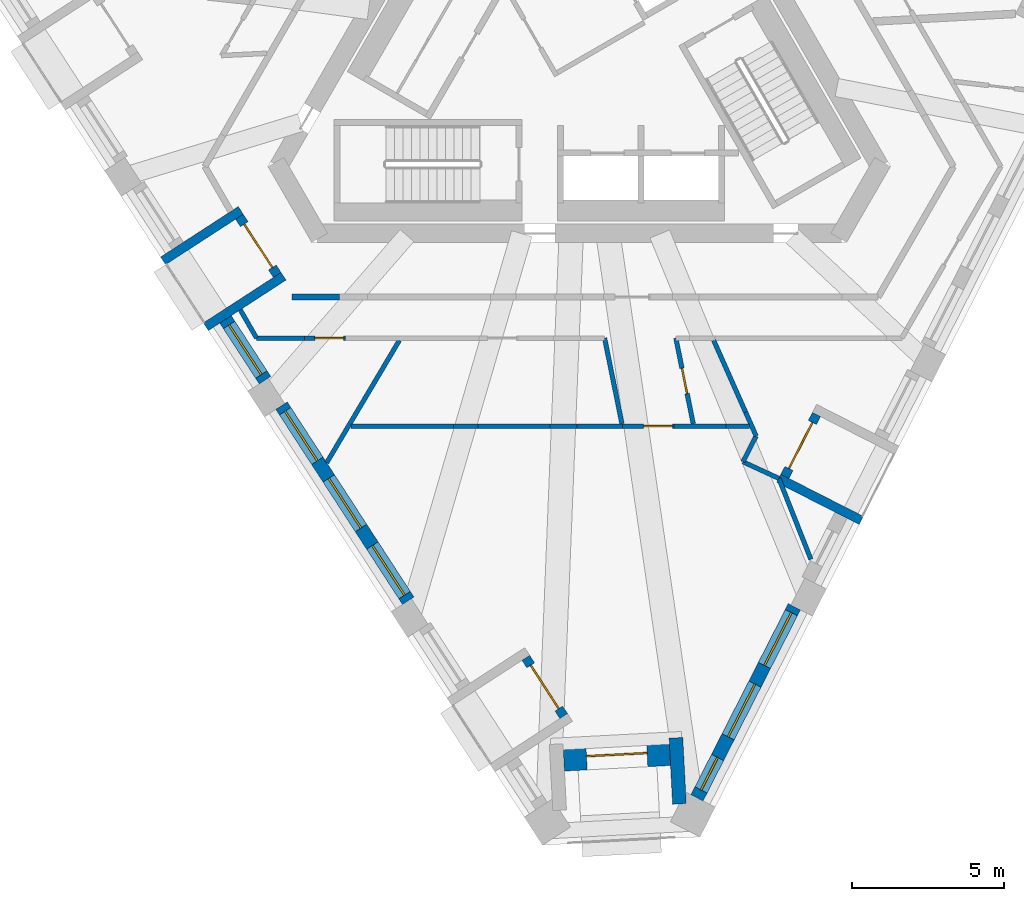
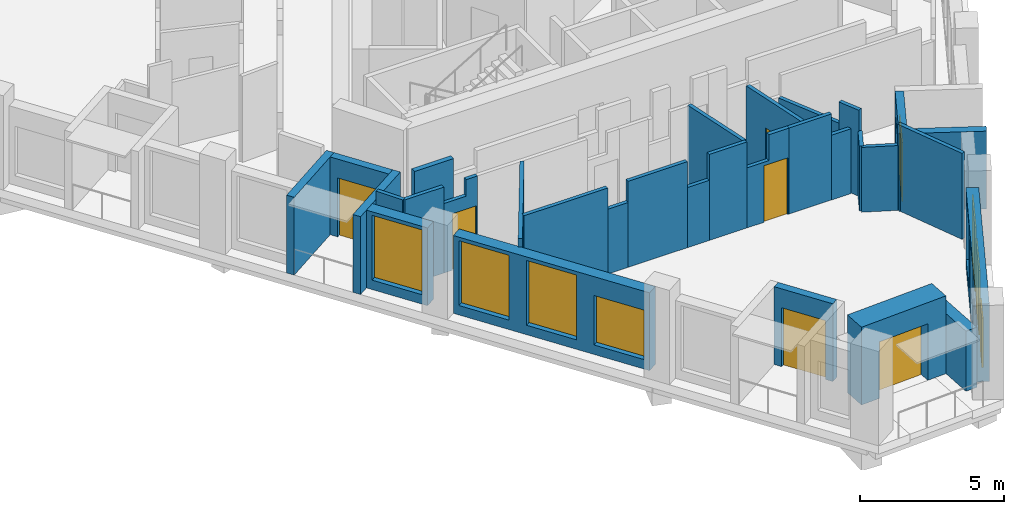
# One storey, part 2 of 12: 31 walls, 7 doors, 7 windows, 14 openings.
"""IFC4 building model written with IfcOpenShell, lengths in metres."""

from ifc_helpers import new_model, si_unit, direction, frame, frame_2d, origin, place, context, subcontext, project, spatial, polyline, rectangle, outline, extrude, material, layer, layer_set, type_object, element, fill, save


model = new_model("IFC4")

# Units and contexts
model_context = context("Model", 3, precision=1e-05, world=origin(), true_north=direction((0.0, 1.0)))
body_context = subcontext(model_context, "Body", "Model", "MODEL_VIEW")
ifc_project = project(units=[si_unit("LENGTHUNIT", "METRE"), si_unit("AREAUNIT", "SQUARE_METRE"), si_unit("VOLUMEUNIT", "CUBIC_METRE"), si_unit("PLANEANGLEUNIT", "RADIAN"), si_unit("MASSUNIT", "GRAM", prefix="KILO")], contexts=[model_context])

# Site, building, storey
site_placement = place(None, origin())
site = spatial("IfcSite", under=ifc_project, at=site_placement, CompositionType="ELEMENT")
building_placement = place(site_placement, origin())
building = spatial("IfcBuilding", under=site, at=building_placement, Name="Tramontana Tower", CompositionType="ELEMENT")
storey_placement = place(building_placement, frame((0.0, 0.0, 302.39990234375)))
storey = spatial("IfcBuildingStorey", under=building, at=storey_placement, Name="L71", CompositionType="ELEMENT", Elevation=302.39990234375)

# Wall
ifc_material_1 = material(Name="Blockwork", Category="masonry")
ifc_layer_1 = layer(ifc_material_1, 0.199951171875)
ifc_layer_set_1 = layer_set([ifc_layer_1], Name="ENTRY WALL 200")
wall_type_1 = type_object("IfcWallType", Name="ENTRY WALL 200", PredefinedType="SOLIDWALL", material=ifc_layer_set_1)
wall_1_placement = place(storey_placement, frame((-7.89599609375, -8.550048828125, 0.0), z_axis=(0.0, 0.0, 1.0), x_axis=(-1.0, 0.0, 0.0)))
element("IfcWall", 1, at=wall_1_placement, inside=storey, type_object=wall_type_1, Name="Wall v72-ew1-11", PredefinedType="SOLIDWALL", context=body_context, shape_type="SweptSolid", body=[
    extrude(rectangle(XDim=1.569580078125, YDim=0.199951171875, at=frame_2d((0.78466796875, 0.0))), origin(), (0.0, 0.0, 1.0), 3.650146484375),
])

# Wall, opening, window
ifc_material_2 = material(Name="Precast concrete 60 MPa", Category="concrete")
ifc_layer_2 = layer(ifc_material_2, 0.449951171875)
ifc_layer_set_2 = layer_set([ifc_layer_2], Name="Precast concrete 60 MPa, 450 mm")
wall_type_2 = type_object("IfcWallType", Name="EW1 Stone-faced precast wall 450", PredefinedType="SOLIDWALL", material=ifc_layer_set_2)
wall_2_placement = place(storey_placement, frame((-11.647216796875, -9.284912109375, 0.0), z_axis=(0.0, 0.0, 1.0), x_axis=(0.544722247615, -0.838616523182, 0.0)))
wall_2 = element("IfcWall", 2, at=wall_2_placement, inside=storey, type_object=wall_type_2, Name="External wall L71 face 0 bay 3", PredefinedType="SOLIDWALL", context=body_context, shape_type="SweptSolid", body=[
    extrude(rectangle(XDim=2.38671875, YDim=0.449951171875, at=frame_2d((1.193359375, 0.0))), origin(), (0.0, 0.0, 1.0), 3.300048828125),
])
opening_1_placement = place(wall_2_placement, frame((0.21826171875, 0.0, 0.39990234375)))
opening_1 = element("IfcOpeningElement", 3, at=opening_1_placement, cuts=wall_2, Name="Opening M3", PredefinedType="OPENING", context=body_context, shape_type="SweptSolid", body=[
    extrude(rectangle(XDim=1.949951171875, YDim=2.75, at=frame_2d((0.97509765625, 1.375))), frame((0.0, 0.23486328125, 0.0), z_axis=(0.0, -1.0, 0.0), x_axis=(1.0, 0.0, 0.0)), (0.0, 0.0, 1.0), 0.469970703125),
])
ifc_material_3 = material(Name="Aluminum frame, double glazing unit", Category="aluminium")
window_type_1 = type_object("IfcWindowType", Name="M3 Window 1.95 x 2.75", PartitioningType="SINGLE_PANEL", PredefinedType="WINDOW", material=ifc_material_3)
window_1_placement = place(opening_1_placement, origin())
window_1 = element("IfcWindow", 4, at=window_1_placement, inside=storey, type_object=window_type_1, Name="Window M3 L71 face 0 module 9", OverallHeight=2.75, OverallWidth=1.949951171875, PartitioningType="SINGLE_PANEL", PredefinedType="WINDOW", context=body_context, shape_type="SweptSolid", body=[
    extrude(rectangle(XDim=1.949951171875, YDim=2.75, at=frame_2d((0.97509765625, 1.375))), frame((0.0, 0.030029296875, 0.0), z_axis=(0.0, -1.0, 0.0), x_axis=(1.0, 0.0, 0.0)), (0.0, 0.0, 1.0), 0.06005859375),
])
fill(opening_1, window_1)

# Wall, openings, windows
wall_3_placement = place(storey_placement, frame((-9.802734375, -12.125244140625, 0.0), z_axis=(0.0, 0.0, 1.0), x_axis=(0.544649987904, -0.838663454954, 0.0)))
wall_3 = element("IfcWall", 5, at=wall_3_placement, inside=storey, type_object=wall_type_2, Name="External wall L71 face 0 bay 4", PredefinedType="SOLIDWALL", context=body_context, shape_type="SweptSolid", body=[
    extrude(rectangle(XDim=7.66015625, YDim=0.449951171875, at=frame_2d((3.830078125, 0.0))), origin(), (0.0, 0.0, 1.0), 3.300048828125),
])
opening_2_placement = place(wall_3_placement, frame((0.21826171875, 0.0, 0.39990234375)))
opening_2 = element("IfcOpeningElement", 6, at=opening_2_placement, cuts=wall_3, Name="Opening M3", PredefinedType="OPENING", context=body_context, shape_type="SweptSolid", body=[
    extrude(rectangle(XDim=1.949951171875, YDim=2.75, at=frame_2d((0.97509765625, 1.375))), frame((0.0, 0.23486328125, 0.0), z_axis=(0.0, -1.0, 0.0), x_axis=(1.0, 0.0, 0.0)), (0.0, 0.0, 1.0), 0.469970703125),
])
opening_3_placement = place(wall_3_placement, frame((2.855224609375, 0.0, 0.39990234375)))
opening_3 = element("IfcOpeningElement", 7, at=opening_3_placement, cuts=wall_3, Name="Opening M3", PredefinedType="OPENING", context=body_context, shape_type="SweptSolid", body=[
    extrude(rectangle(XDim=1.949951171875, YDim=2.75, at=frame_2d((0.97509765625, 1.375))), frame((0.0, 0.23486328125, 0.0), z_axis=(0.0, -1.0, 0.0), x_axis=(1.0, 0.0, 0.0)), (0.0, 0.0, 1.0), 0.469970703125),
])
opening_4_placement = place(wall_3_placement, frame((5.491943359375, 0.0, 0.39990234375)))
opening_4 = element("IfcOpeningElement", 8, at=opening_4_placement, cuts=wall_3, Name="Opening M3L", PredefinedType="OPENING", context=body_context, shape_type="SweptSolid", body=[
    extrude(rectangle(XDim=1.949951171875, YDim=2.10009765625, at=frame_2d((0.97509765625, 1.050048828125))), frame((0.0, 0.23486328125, 0.0), z_axis=(0.0, -1.0, 0.0), x_axis=(1.0, 0.0, 0.0)), (0.0, 0.0, 1.0), 0.469970703125),
])
window_2_placement = place(opening_2_placement, origin())
window_2 = element("IfcWindow", 9, at=window_2_placement, inside=storey, type_object=window_type_1, Name="Window M3 L71 face 0 module 10", OverallHeight=2.75, OverallWidth=1.949951171875, PartitioningType="SINGLE_PANEL", PredefinedType="WINDOW", context=body_context, shape_type="SweptSolid", body=[
    extrude(rectangle(XDim=1.949951171875, YDim=2.75, at=frame_2d((0.97509765625, 1.375))), frame((0.0, 0.030029296875, 0.0), z_axis=(0.0, -1.0, 0.0), x_axis=(1.0, 0.0, 0.0)), (0.0, 0.0, 1.0), 0.06005859375),
])
fill(opening_2, window_2)
window_3_placement = place(opening_3_placement, origin())
window_3 = element("IfcWindow", 10, at=window_3_placement, inside=storey, type_object=window_type_1, Name="Window M3 L71 face 0 module 11", OverallHeight=2.75, OverallWidth=1.949951171875, PartitioningType="SINGLE_PANEL", PredefinedType="WINDOW", context=body_context, shape_type="SweptSolid", body=[
    extrude(rectangle(XDim=1.949951171875, YDim=2.75, at=frame_2d((0.97509765625, 1.375))), frame((0.0, 0.030029296875, 0.0), z_axis=(0.0, -1.0, 0.0), x_axis=(1.0, 0.0, 0.0)), (0.0, 0.0, 1.0), 0.06005859375),
])
fill(opening_3, window_3)
ifc_material_4 = material(Name="Aluminum frame, double glazing unit", Category="aluminium")
window_type_2 = type_object("IfcWindowType", Name="M3L Window 1.95 x 2.1", PartitioningType="SINGLE_PANEL", PredefinedType="WINDOW", material=ifc_material_4)
window_4_placement = place(opening_4_placement, origin())
window_4 = element("IfcWindow", 11, at=window_4_placement, inside=storey, type_object=window_type_2, Name="Window M3L L71 face 0 module 12", OverallHeight=2.10009765625, OverallWidth=1.949951171875, PartitioningType="SINGLE_PANEL", PredefinedType="WINDOW", context=body_context, shape_type="SweptSolid", body=[
    extrude(rectangle(XDim=1.949951171875, YDim=2.10009765625, at=frame_2d((0.97509765625, 1.050048828125))), frame((0.0, 0.030029296875, 0.0), z_axis=(0.0, -1.0, 0.0), x_axis=(1.0, 0.0, 0.0)), (0.0, 0.0, 1.0), 0.06005859375),
])
fill(opening_4, window_4)

wall_4_placement = place(storey_placement, frame((3.87939453125, -25.041259765625, 0.0), z_axis=(0.0, 0.0, 1.0), x_axis=(0.453992084912, 0.891005716501, 0.0)))
wall_4 = element("IfcWall", 12, at=wall_4_placement, inside=storey, type_object=wall_type_2, Name="External wall L71 face 1 bay 1", PredefinedType="SOLIDWALL", context=body_context, shape_type="SweptSolid", body=[
    extrude(rectangle(XDim=7.060302734375, YDim=0.449951171875, at=frame_2d((3.5302734375, 0.0))), origin(), (0.0, 0.0, 1.0), 3.300048828125),
])
opening_5_placement = place(wall_4_placement, frame((0.29345703125, 0.0, 0.39990234375)))
opening_5 = element("IfcOpeningElement", 13, at=opening_5_placement, cuts=wall_4, Name="Opening N3L", PredefinedType="OPENING", context=body_context, shape_type="SweptSolid", body=[
    extrude(rectangle(XDim=1.199951171875, YDim=2.10009765625, at=frame_2d((0.60009765625, 1.050048828125))), frame((0.0, 0.23486328125, 0.0), z_axis=(0.0, -1.0, 0.0), x_axis=(1.0, 0.0, 0.0)), (0.0, 0.0, 1.0), 0.469970703125),
])
opening_6_placement = place(wall_4_placement, frame((2.255126953125, 0.0, 0.39990234375)))
opening_6 = element("IfcOpeningElement", 14, at=opening_6_placement, cuts=wall_4, Name="Opening M3", PredefinedType="OPENING", context=body_context, shape_type="SweptSolid", body=[
    extrude(rectangle(XDim=1.949951171875, YDim=2.75, at=frame_2d((0.97509765625, 1.375))), frame((0.0, 0.23486328125, 0.0), z_axis=(0.0, -1.0, 0.0), x_axis=(1.0, 0.0, 0.0)), (0.0, 0.0, 1.0), 0.469970703125),
])
opening_7_placement = place(wall_4_placement, frame((4.891845703125, 0.0, 0.39990234375)))
opening_7 = element("IfcOpeningElement", 15, at=opening_7_placement, cuts=wall_4, Name="Opening M3", PredefinedType="OPENING", context=body_context, shape_type="SweptSolid", body=[
    extrude(rectangle(XDim=1.949951171875, YDim=2.75, at=frame_2d((0.97509765625, 1.375))), frame((0.0, 0.23486328125, 0.0), z_axis=(0.0, -1.0, 0.0), x_axis=(1.0, 0.0, 0.0)), (0.0, 0.0, 1.0), 0.469970703125),
])
window_5_placement = place(opening_6_placement, origin())
window_5 = element("IfcWindow", 16, at=window_5_placement, inside=storey, type_object=window_type_1, Name="Window M3 L71 face 1 module 2", OverallHeight=2.75, OverallWidth=1.949951171875, PartitioningType="SINGLE_PANEL", PredefinedType="WINDOW", context=body_context, shape_type="SweptSolid", body=[
    extrude(rectangle(XDim=1.949951171875, YDim=2.75, at=frame_2d((0.97509765625, 1.375))), frame((0.0, 0.030029296875, 0.0), z_axis=(0.0, -1.0, 0.0), x_axis=(1.0, 0.0, 0.0)), (0.0, 0.0, 1.0), 0.06005859375),
])
fill(opening_6, window_5)
window_6_placement = place(opening_7_placement, origin())
window_6 = element("IfcWindow", 17, at=window_6_placement, inside=storey, type_object=window_type_1, Name="Window M3 L71 face 1 module 3", OverallHeight=2.75, OverallWidth=1.949951171875, PartitioningType="SINGLE_PANEL", PredefinedType="WINDOW", context=body_context, shape_type="SweptSolid", body=[
    extrude(rectangle(XDim=1.949951171875, YDim=2.75, at=frame_2d((0.97509765625, 1.375))), frame((0.0, 0.030029296875, 0.0), z_axis=(0.0, -1.0, 0.0), x_axis=(1.0, 0.0, 0.0)), (0.0, 0.0, 1.0), 0.06005859375),
])
fill(opening_7, window_6)
ifc_material_5 = material(Name="Aluminum frame, double glazing unit", Category="aluminium")
window_type_3 = type_object("IfcWindowType", Name="N3L Window 1.2 x 2.1", PartitioningType="SINGLE_PANEL", PredefinedType="WINDOW", material=ifc_material_5)
window_7_placement = place(opening_5_placement, origin())
window_7 = element("IfcWindow", 18, at=window_7_placement, inside=storey, type_object=window_type_3, Name="Window N3L L71 face 1 module 1", OverallHeight=2.10009765625, OverallWidth=1.199951171875, PartitioningType="SINGLE_PANEL", PredefinedType="WINDOW", context=body_context, shape_type="SweptSolid", body=[
    extrude(rectangle(XDim=1.199951171875, YDim=2.10009765625, at=frame_2d((0.60009765625, 1.050048828125))), frame((0.0, 0.030029296875, 0.0), z_axis=(0.0, -1.0, 0.0), x_axis=(1.0, 0.0, 0.0)), (0.0, 0.0, 1.0), 0.06005859375),
])
fill(opening_5, window_7)

# Wall
wall_5_placement = place(storey_placement, frame((3.300537109375, -25.240966796875, 0.0), z_axis=(0.0, 0.0, 1.0), x_axis=(-0.052323605405, 0.998630181958, 0.0)))
element("IfcWall", 19, at=wall_5_placement, inside=storey, type_object=wall_type_2, Name="Corner loggia side wall L71 K71l", PredefinedType="SOLIDWALL", context=body_context, shape_type="SweptSolid", body=[
    extrude(rectangle(XDim=2.178955078125, YDim=0.449951171875, at=frame_2d((1.08935546875, 0.0))), origin(), (0.0, 0.0, 1.0), 2.550048828125),
])

# Wall, opening, door
ifc_material_6 = material(Name="Precast concrete 60 MPa", Category="concrete")
ifc_layer_3 = layer(ifc_material_6, 0.89990234375)
ifc_layer_set_3 = layer_set([ifc_layer_3], Name="EW2 Stone-faced corner loggia wall 900")
wall_type_3 = type_object("IfcWallType", Name="EW2 Stone-faced corner loggia wall 900", PredefinedType="SOLIDWALL", material=ifc_layer_set_3)
wall_6_placement = place(storey_placement, frame((2.9853515625, -23.52587890625, 0.0), z_axis=(0.0, 0.0, 1.0), x_axis=(-0.998626871225, -0.0523867547, 0.0)))
wall_6 = element("IfcWall", 20, at=wall_6_placement, inside=storey, type_object=wall_type_3, Name="Corner loggia wall L71 K71", PredefinedType="SOLIDWALL", context=body_context, shape_type="SweptSolid", body=[
    extrude(rectangle(XDim=3.5, YDim=0.89990234375, at=frame_2d((1.75, 0.0))), origin(), (0.0, 0.0, 1.0), 3.300048828125),
])
opening_8_placement = place(wall_6_placement, frame((0.75, 0.0, 0.0)))
opening_8 = element("IfcOpeningElement", 21, at=opening_8_placement, cuts=wall_6, Name="Opening BD-71C", PredefinedType="OPENING", context=body_context, shape_type="SweptSolid", body=[
    extrude(rectangle(XDim=2.0, YDim=2.39990234375, at=frame_2d((1.0, 1.199951171875))), frame((0.0, 0.4599609375, 0.0), z_axis=(0.0, -1.0, 0.0), x_axis=(1.0, 0.0, 0.0)), (0.0, 0.0, 1.0), 0.919921875),
])
ifc_material_7 = material(Name="Aluminum frame, double glazing unit", Category="aluminium")
door_type_1 = type_object("IfcDoorType", Name="BC1 Sliding door 2 x 2.4", OperationType="SLIDING_TO_LEFT", PredefinedType="DOOR", material=ifc_material_7)
door_1_placement = place(opening_8_placement, origin())
door_1 = element("IfcDoor", 22, at=door_1_placement, inside=storey, type_object=door_type_1, Name="Corner loggia door L71 K71", OperationType="SLIDING_TO_LEFT", OverallHeight=2.39990234375, OverallWidth=2.0, PredefinedType="DOOR", context=body_context, shape_type="SweptSolid", body=[
    extrude(rectangle(XDim=2.0, YDim=2.39990234375, at=frame_2d((1.0, 1.199951171875))), frame((0.0, 0.02490234375, 0.0), z_axis=(0.0, -1.0, 0.0), x_axis=(1.0, 0.0, 0.0)), (0.0, 0.0, 1.0), 0.050048828125),
])
fill(opening_8, door_1)

ifc_material_8 = material(Name="Precast concrete 60 MPa", Category="concrete")
ifc_layer_4 = layer(ifc_material_8, 0.300048828125)
ifc_layer_set_4 = layer_set([ifc_layer_4], Name="LW1 Stone-faced loggia wall 300")
wall_type_4 = type_object("IfcWallType", Name="LW1 Stone-faced loggia wall 300", PredefinedType="SOLIDWALL", material=ifc_layer_set_4)
wall_7_placement = place(storey_placement, frame((-11.18994140625, -5.903564453125, 0.0), z_axis=(0.0, 0.0, 1.0), x_axis=(0.544631777146, -0.838675281216, 0.0)))
wall_7 = element("IfcWall", 23, at=wall_7_placement, inside=storey, type_object=wall_type_4, Name="Loggia wall L71 G7S0.7", PredefinedType="SOLIDWALL", context=body_context, shape_type="SweptSolid", body=[
    extrude(rectangle(XDim=2.28662109375, YDim=0.300048828125, at=frame_2d((1.143310546875, 0.0))), origin(), (0.0, 0.0, 1.0), 3.300048828125),
])
opening_9_placement = place(wall_7_placement, frame((0.29345703125, 0.0, 0.0)))
opening_9 = element("IfcOpeningElement", 24, at=opening_9_placement, cuts=wall_7, Name="Opening BD-7S0-07", PredefinedType="OPENING", context=body_context, shape_type="SweptSolid", body=[
    extrude(rectangle(XDim=1.699951171875, YDim=2.5, at=frame_2d((0.85009765625, 1.25))), frame((0.0, 0.159912109375, 0.0), z_axis=(0.0, -1.0, 0.0), x_axis=(1.0, 0.0, 0.0)), (0.0, 0.0, 1.0), 0.320068359375),
])
ifc_material_9 = material(Name="Aluminum frame, double glazing unit", Category="aluminium")
door_type_2 = type_object("IfcDoorType", Name="BD3 Sliding door 1.7 x 2.5", OperationType="SLIDING_TO_LEFT", PredefinedType="DOOR", material=ifc_material_9)
door_2_placement = place(opening_9_placement, origin())
door_2 = element("IfcDoor", 25, at=door_2_placement, inside=storey, type_object=door_type_2, Name="Loggia door L71 G7S0.7", OperationType="SLIDING_TO_LEFT", OverallHeight=2.5, OverallWidth=1.699951171875, PredefinedType="DOOR", context=body_context, shape_type="SweptSolid", body=[
    extrude(rectangle(XDim=1.699951171875, YDim=2.5, at=frame_2d((0.85009765625, 1.25))), frame((0.0, 0.02490234375, 0.0), z_axis=(0.0, -1.0, 0.0), x_axis=(1.0, 0.0, 0.0)), (0.0, 0.0, 1.0), 0.050048828125),
])
fill(opening_9, door_2)

# Walls
wall_8_placement = place(storey_placement, frame((-13.703857421875, -7.357177734375, 0.0), z_axis=(0.0, 0.0, 1.0), x_axis=(0.838688583525, 0.544611292451, 0.0)))
element("IfcWall", 26, at=wall_8_placement, inside=storey, type_object=wall_type_4, Name="Loggia return L71 G7S0.7a", PredefinedType="SOLIDWALL", context=body_context, shape_type="SweptSolid", body=[
    extrude(rectangle(XDim=3.050048828125, YDim=0.300048828125, at=frame_2d((1.52490234375, 0.0))), origin(), (0.0, 0.0, 1.0), 3.300048828125),
])
wall_9_placement = place(storey_placement, frame((-12.294921875, -9.526611328125, 0.0), z_axis=(0.0, 0.0, 1.0), x_axis=(0.838664840319, 0.544647854685, 0.0)))
element("IfcWall", 27, at=wall_9_placement, inside=storey, type_object=wall_type_4, Name="Loggia return L71 G7S0.7b", PredefinedType="SOLIDWALL", context=body_context, shape_type="SweptSolid", body=[
    extrude(rectangle(XDim=3.0498046875, YDim=0.300048828125, at=frame_2d((1.52490234375, 0.0))), origin(), (0.0, 0.0, 1.0), 3.300048828125),
])

# Wall, opening, door
wall_10_placement = place(storey_placement, frame((-1.756591796875, -20.4296875, 0.0), z_axis=(0.0, 0.0, 1.0), x_axis=(0.544658103125, -0.838658184662, 0.0)))
wall_10 = element("IfcWall", 28, at=wall_10_placement, inside=storey, type_object=wall_type_4, Name="Loggia wall L71 G7S0.13", PredefinedType="SOLIDWALL", context=body_context, shape_type="SweptSolid", body=[
    extrude(rectangle(XDim=2.286865234375, YDim=0.300048828125, at=frame_2d((1.1435546875, 0.0))), origin(), (0.0, 0.0, 1.0), 3.300048828125),
])
opening_10_placement = place(wall_10_placement, frame((0.29345703125, 0.0, 0.0)))
opening_10 = element("IfcOpeningElement", 29, at=opening_10_placement, cuts=wall_10, Name="Opening BD-7S0-13", PredefinedType="OPENING", context=body_context, shape_type="SweptSolid", body=[
    extrude(rectangle(XDim=1.699951171875, YDim=2.5, at=frame_2d((0.85009765625, 1.25))), frame((0.0, 0.159912109375, 0.0), z_axis=(0.0, -1.0, 0.0), x_axis=(1.0, 0.0, 0.0)), (0.0, 0.0, 1.0), 0.320068359375),
])
door_3_placement = place(opening_10_placement, origin())
door_3 = element("IfcDoor", 30, at=door_3_placement, inside=storey, type_object=door_type_2, Name="Loggia door L71 G7S0.13", OperationType="SLIDING_TO_LEFT", OverallHeight=2.5, OverallWidth=1.699951171875, PredefinedType="DOOR", context=body_context, shape_type="SweptSolid", body=[
    extrude(rectangle(XDim=1.699951171875, YDim=2.5, at=frame_2d((0.85009765625, 1.25))), frame((0.0, 0.02490234375, 0.0), z_axis=(0.0, -1.0, 0.0), x_axis=(1.0, 0.0, 0.0)), (0.0, 0.0, 1.0), 0.050048828125),
])
fill(opening_10, door_3)

wall_11_placement = place(storey_placement, frame((6.77587890625, -14.455322265625, 0.0), z_axis=(0.0, 0.0, 1.0), x_axis=(0.454076116559, 0.890962895058, 0.0)))
wall_11 = element("IfcWall", 31, at=wall_11_placement, inside=storey, type_object=wall_type_4, Name="Loggia wall L71 G7S1.4", PredefinedType="SOLIDWALL", context=body_context, shape_type="SweptSolid", body=[
    extrude(rectangle(XDim=2.28662109375, YDim=0.300048828125, at=frame_2d((1.143310546875, 0.0))), origin(), (0.0, 0.0, 1.0), 3.300048828125),
])
opening_11_placement = place(wall_11_placement, frame((0.29345703125, 0.0, 0.0)))
opening_11 = element("IfcOpeningElement", 32, at=opening_11_placement, cuts=wall_11, Name="Opening BD-7S1-04", PredefinedType="OPENING", context=body_context, shape_type="SweptSolid", body=[
    extrude(rectangle(XDim=1.699951171875, YDim=2.5, at=frame_2d((0.85009765625, 1.25))), frame((0.0, 0.159912109375, 0.0), z_axis=(0.0, -1.0, 0.0), x_axis=(1.0, 0.0, 0.0)), (0.0, 0.0, 1.0), 0.320068359375),
])
door_4_placement = place(opening_11_placement, origin())
door_4 = element("IfcDoor", 33, at=door_4_placement, inside=storey, type_object=door_type_2, Name="Loggia door L71 G7S1.4", OperationType="SLIDING_TO_LEFT", OverallHeight=2.5, OverallWidth=1.699951171875, PredefinedType="DOOR", context=body_context, shape_type="SweptSolid", body=[
    extrude(rectangle(XDim=1.699951171875, YDim=2.5, at=frame_2d((0.85009765625, 1.25))), frame((0.0, 0.02490234375, 0.0), z_axis=(0.0, -1.0, 0.0), x_axis=(1.0, 0.0, 0.0)), (0.0, 0.0, 1.0), 0.050048828125),
])
fill(opening_11, door_4)

# Walls
wall_12_placement = place(storey_placement, frame((9.291748046875, -15.905517578125, 0.0), z_axis=(0.0, 0.0, 1.0), x_axis=(-0.891023613249, 0.453956959009, 0.0)))
element("IfcWall", 34, at=wall_12_placement, inside=storey, type_object=wall_type_4, Name="Loggia return L71 G7S1.4a", PredefinedType="SOLIDWALL", context=body_context, shape_type="SweptSolid", body=[
    extrude(rectangle(XDim=3.0498046875, YDim=0.300048828125, at=frame_2d((1.52490234375, 0.0))), origin(), (0.0, 0.0, 1.0), 3.300048828125),
])
ifc_material_10 = material(Name="Gypsum board partition")
ifc_layer_5 = layer(ifc_material_10, 0.14990234375)
ifc_layer_set_5 = layer_set([ifc_layer_5], Name="PARTITION 150")
wall_type_5 = type_object("IfcWallType", Name="PARTITION 150", PredefinedType="PARTITIONING", material=ifc_layer_set_5)
wall_13_placement = place(storey_placement, frame((-10.623291015625, -9.89990234375, 0.0), z_axis=(0.0, 0.0, 1.0), x_axis=(-0.500095966228, 0.865969990567, 0.0)))
element("IfcWall", 35, at=wall_13_placement, inside=storey, type_object=wall_type_5, Name="Wall v72-pw07", PredefinedType="PARTITIONING", context=body_context, shape_type="SweptSolid", body=[
    extrude(rectangle(XDim=1.074951171875, YDim=0.14990234375, at=frame_2d((0.53759765625, 0.0))), origin(), (0.0, 0.0, 1.0), 3.650146484375),
])
wall_14_placement = place(storey_placement, frame((-8.31396484375, -14.004150390625, 0.0), z_axis=(0.0, 0.0, 1.0), x_axis=(0.510513473224, 0.859869753891, 0.0)))
element("IfcWall", 36, at=wall_14_placement, inside=storey, type_object=wall_type_5, Name="Wall v72-pw11", PredefinedType="PARTITIONING", context=body_context, shape_type="SweptSolid", body=[
    extrude(rectangle(XDim=4.685546875, YDim=0.14990234375, at=frame_2d((2.3427734375, 0.0))), origin(), (0.0, 0.0, 1.0), 3.650146484375),
])

# Wall, opening, door
wall_15_placement = place(storey_placement, frame((-7.703857421875, -9.89990234375, 0.0), z_axis=(0.0, 0.0, 1.0), x_axis=(-1.0, 0.0, 0.0)))
wall_15 = element("IfcWall", 37, at=wall_15_placement, inside=storey, type_object=wall_type_5, Name="Wall v72-pw14-5", PredefinedType="PARTITIONING", context=body_context, shape_type="SweptSolid", body=[
    extrude(outline(polyline([(0.0, 0.0), (1.348876953125, 0.0), (1.34912109375, 2.9501953125), (0.45458984375, 2.9501953125), (0.45458984375, 3.650146484375), (0.0, 3.650146484375), (0.0, 0.0)])), frame((0.0, 0.074951171875, 0.0), z_axis=(0.0, -1.0, 0.0), x_axis=(1.0, 0.0, 0.0)), (0.0, 0.0, 1.0), 0.14990234375),
])
opening_12_placement = place(wall_15_placement, frame((0.050048828125, 0.0, 0.0)))
opening_12 = element("IfcOpeningElement", 38, at=opening_12_placement, cuts=wall_15, Name="Opening B7C-09", PredefinedType="OPENING", context=body_context, shape_type="SweptSolid", body=[
    extrude(rectangle(XDim=0.949951171875, YDim=2.39990234375, at=frame_2d((0.47509765625, 1.199951171875))), frame((0.0, 0.0849609375, 0.0), z_axis=(0.0, -1.0, 0.0), x_axis=(1.0, 0.0, 0.0)), (0.0, 0.0, 1.0), 0.169921875),
])
ifc_material_11 = material(Name="Painted timber", Category="wood")
door_type_3 = type_object("IfcDoorType", Name="DOOR ROOM 950", OperationType="SINGLE_SWING_LEFT", PredefinedType="DOOR", material=ifc_material_11)
door_5_placement = place(opening_12_placement, origin())
door_5 = element("IfcDoor", 39, at=door_5_placement, inside=storey, type_object=door_type_3, Name="Door B7C-09", OperationType="SINGLE_SWING_LEFT", OverallHeight=2.39990234375, OverallWidth=0.949951171875, PredefinedType="DOOR", context=body_context, shape_type="SweptSolid", body=[
    extrude(rectangle(XDim=0.949951171875, YDim=2.39990234375, at=frame_2d((0.47509765625, 1.199951171875))), frame((0.0, 0.02490234375, 0.0), z_axis=(0.0, -1.0, 0.0), x_axis=(1.0, 0.0, 0.0)), (0.0, 0.0, 1.0), 0.050048828125),
])
fill(opening_12, door_5)

# Walls
wall_16_placement = place(storey_placement, frame((-9.052734375, -9.89990234375, 0.0), z_axis=(0.0, 0.0, 1.0), x_axis=(-1.0, 0.0, 0.0)))
element("IfcWall", 40, at=wall_16_placement, inside=storey, type_object=wall_type_5, Name="Wall v72-pw14-6", PredefinedType="PARTITIONING", context=body_context, shape_type="SweptSolid", body=[
    extrude(rectangle(XDim=1.570556640625, YDim=0.14990234375, at=frame_2d((0.78515625, 0.0))), origin(), (0.0, 0.0, 1.0), 3.650146484375),
])
wall_17_placement = place(storey_placement, frame((1.4091796875, -12.72509765625, 0.0), z_axis=(0.0, 0.0, 1.0), x_axis=(-0.198851501623, 0.980029632359, 0.0)))
element("IfcWall", 41, at=wall_17_placement, inside=storey, type_object=wall_type_5, Name="Wall v72-pw15", PredefinedType="PARTITIONING", context=body_context, shape_type="SweptSolid", body=[
    extrude(rectangle(XDim=2.8828125, YDim=0.14990234375, at=frame_2d((1.44140625, 0.0))), origin(), (0.0, 0.0, 1.0), 3.650146484375),
])

# Wall, opening, door
wall_18_placement = place(storey_placement, frame((3.182861328125, -9.89990234375, 0.0), z_axis=(0.0, 0.0, 1.0), x_axis=(0.198851501623, -0.980029632359, 0.0)))
wall_18 = element("IfcWall", 42, at=wall_18_placement, inside=storey, type_object=wall_type_5, Name="Wall v72-pw16", PredefinedType="PARTITIONING", context=body_context, shape_type="SweptSolid", body=[
    extrude(rectangle(XDim=2.8828125, YDim=0.14990234375, at=frame_2d((1.44140625, 0.0))), origin(), (0.0, 0.0, 1.0), 3.650146484375),
])
opening_13_placement = place(wall_18_placement, frame((1.016357421875, 0.0, 0.0)))
opening_13 = element("IfcOpeningElement", 43, at=opening_13_placement, cuts=wall_18, Name="Opening B7C-07", PredefinedType="OPENING", context=body_context, shape_type="SweptSolid", body=[
    extrude(rectangle(XDim=0.85009765625, YDim=2.39990234375, at=frame_2d((0.425048828125, 1.199951171875))), frame((0.0, 0.0849609375, 0.0), z_axis=(0.0, -1.0, 0.0), x_axis=(1.0, 0.0, 0.0)), (0.0, 0.0, 1.0), 0.169921875),
])
ifc_material_12 = material(Name="Painted timber", Category="wood")
door_type_4 = type_object("IfcDoorType", Name="DOOR BATH 850", OperationType="SINGLE_SWING_LEFT", PredefinedType="DOOR", material=ifc_material_12)
door_6_placement = place(opening_13_placement, origin())
door_6 = element("IfcDoor", 44, at=door_6_placement, inside=storey, type_object=door_type_4, Name="Door B7C-07", OperationType="SINGLE_SWING_LEFT", OverallHeight=2.39990234375, OverallWidth=0.85009765625, PredefinedType="DOOR", context=body_context, shape_type="SweptSolid", body=[
    extrude(rectangle(XDim=0.85009765625, YDim=2.39990234375, at=frame_2d((0.425048828125, 1.199951171875))), frame((0.0, 0.02490234375, 0.0), z_axis=(0.0, -1.0, 0.0), x_axis=(1.0, 0.0, 0.0)), (0.0, 0.0, 1.0), 0.050048828125),
])
fill(opening_13, door_6)

# Walls
wall_19_placement = place(storey_placement, frame((4.428466796875, -9.97509765625, 0.0), z_axis=(0.0, 0.0, 1.0), x_axis=(0.405814676305, -0.913955386491, 0.0)))
element("IfcWall", 45, at=wall_19_placement, inside=storey, type_object=wall_type_5, Name="Wall v72-pw19-0", PredefinedType="PARTITIONING", context=body_context, shape_type="SweptSolid", body=[
    extrude(rectangle(XDim=2.588623046875, YDim=0.14990234375, at=frame_2d((1.29443359375, 0.0))), origin(), (0.0, 0.0, 1.0), 2.75),
])
wall_20_placement = place(storey_placement, frame((5.47900390625, -12.341064453125, 0.0), z_axis=(0.0, 0.0, 1.0), x_axis=(0.405821136731, -0.913952517904, 0.0)))
element("IfcWall", 46, at=wall_20_placement, inside=storey, type_object=wall_type_5, Name="Wall v72-pw19-1", PredefinedType="PARTITIONING", context=body_context, shape_type="SweptSolid", body=[
    extrude(rectangle(XDim=0.856689453125, YDim=0.14990234375, at=frame_2d((0.42822265625, 0.0))), origin(), (0.0, 0.0, 1.0), 3.650146484375),
])
wall_21_placement = place(storey_placement, frame((5.394775390625, -13.976318359375, 0.0), z_axis=(0.0, 0.0, 1.0), x_axis=(0.907865857733, -0.419260759388, 0.0)))
element("IfcWall", 47, at=wall_21_placement, inside=storey, type_object=wall_type_5, Name="Wall v72-pw20-0", PredefinedType="PARTITIONING", context=body_context, shape_type="SweptSolid", body=[
    extrude(rectangle(XDim=1.299072265625, YDim=0.14990234375, at=frame_2d((0.6494140625, 0.0))), origin(), (0.0, 0.0, 1.0), 2.75),
])
wall_22_placement = place(storey_placement, frame((5.6005859375, -12.800048828125, 0.0), z_axis=(0.0, 0.0, 1.0), x_axis=(-1.0, 0.0, 0.0)))
element("IfcWall", 48, at=wall_22_placement, inside=storey, type_object=wall_type_5, Name="Wall v72-pw21-0", PredefinedType="PARTITIONING", context=body_context, shape_type="SweptSolid", body=[
    extrude(rectangle(XDim=0.77099609375, YDim=0.14990234375, at=frame_2d((0.385498046875, 0.0))), origin(), (0.0, 0.0, 1.0), 2.75),
])
wall_23_placement = place(storey_placement, frame((4.82958984375, -12.800048828125, 0.0), z_axis=(0.0, 0.0, 1.0), x_axis=(-1.0, 0.0, 0.0)))
element("IfcWall", 49, at=wall_23_placement, inside=storey, type_object=wall_type_5, Name="Wall v72-pw21-1", PredefinedType="PARTITIONING", context=body_context, shape_type="SweptSolid", body=[
    extrude(rectangle(XDim=1.70703125, YDim=0.14990234375, at=frame_2d((0.853515625, 0.0))), origin(), (0.0, 0.0, 1.0), 3.650146484375),
])

# Wall, opening, door
wall_24_placement = place(storey_placement, frame((3.12255859375, -12.800048828125, 0.0), z_axis=(0.0, 0.0, 1.0), x_axis=(-1.0, 0.0, 0.0)))
wall_24 = element("IfcWall", 50, at=wall_24_placement, inside=storey, type_object=wall_type_5, Name="Wall v72-pw21-2", PredefinedType="PARTITIONING", context=body_context, shape_type="SweptSolid", body=[
    extrude(outline(polyline([(0.0, 0.0), (1.693359375, 0.0), (1.693359375, 2.550048828125), (0.80908203125, 2.550048828125), (0.80908203125, 3.650146484375), (0.0, 3.650146484375), (0.0, 0.0)])), frame((0.0, 0.074951171875, 0.0), z_axis=(0.0, -1.0, 0.0), x_axis=(1.0, 0.0, 0.0)), (0.0, 0.0, 1.0), 0.14990234375),
])
opening_14_placement = place(wall_24_placement, frame((0.050048828125, 0.0, 0.0)))
opening_14 = element("IfcOpeningElement", 51, at=opening_14_placement, cuts=wall_24, Name="Opening B7C-08", PredefinedType="OPENING", context=body_context, shape_type="SweptSolid", body=[
    extrude(rectangle(XDim=0.949951171875, YDim=2.39990234375, at=frame_2d((0.47509765625, 1.199951171875))), frame((0.0, 0.0849609375, 0.0), z_axis=(0.0, -1.0, 0.0), x_axis=(1.0, 0.0, 0.0)), (0.0, 0.0, 1.0), 0.169921875),
])
door_7_placement = place(opening_14_placement, origin())
door_7 = element("IfcDoor", 52, at=door_7_placement, inside=storey, type_object=door_type_3, Name="Door B7C-08", OperationType="SINGLE_SWING_RIGHT", OverallHeight=2.39990234375, OverallWidth=0.949951171875, PredefinedType="DOOR", context=body_context, shape_type="SweptSolid", body=[
    extrude(rectangle(XDim=0.949951171875, YDim=2.39990234375, at=frame_2d((0.47509765625, 1.199951171875))), frame((0.0, 0.02490234375, 0.0), z_axis=(0.0, -1.0, 0.0), x_axis=(1.0, 0.0, 0.0)), (0.0, 0.0, 1.0), 0.050048828125),
])
fill(opening_14, door_7)

# Walls
wall_25_placement = place(storey_placement, frame((1.42919921875, -12.800048828125, 0.0), z_axis=(0.0, 0.0, 1.0), x_axis=(-1.0, 0.0, 0.0)))
element("IfcWall", 53, at=wall_25_placement, inside=storey, type_object=wall_type_5, Name="Wall v72-pw21-3", PredefinedType="PARTITIONING", context=body_context, shape_type="SweptSolid", body=[
    extrude(rectangle(XDim=1.509521484375, YDim=0.14990234375, at=frame_2d((0.7548828125, 0.0))), origin(), (0.0, 0.0, 1.0), 3.650146484375),
])
wall_26_placement = place(storey_placement, frame((-0.080322265625, -12.800048828125, 0.0), z_axis=(0.0, 0.0, 1.0), x_axis=(-1.0, 0.0, 0.0)))
element("IfcWall", 54, at=wall_26_placement, inside=storey, type_object=wall_type_5, Name="Wall v72-pw21-4", PredefinedType="PARTITIONING", context=body_context, shape_type="SweptSolid", body=[
    extrude(rectangle(XDim=0.875732421875, YDim=0.14990234375, at=frame_2d((0.43798828125, 0.0))), origin(), (0.0, 0.0, 1.0), 2.550048828125),
])
wall_27_placement = place(storey_placement, frame((-0.9560546875, -12.800048828125, 0.0), z_axis=(0.0, 0.0, 1.0), x_axis=(-1.0, 0.0, 0.0)))
element("IfcWall", 55, at=wall_27_placement, inside=storey, type_object=wall_type_5, Name="Wall v72-pw21-5", PredefinedType="PARTITIONING", context=body_context, shape_type="SweptSolid", body=[
    extrude(rectangle(XDim=2.382080078125, YDim=0.14990234375, at=frame_2d((1.19091796875, 0.0))), origin(), (0.0, 0.0, 1.0), 3.650146484375),
])
wall_28_placement = place(storey_placement, frame((-3.338134765625, -12.800048828125, 0.0), z_axis=(0.0, 0.0, 1.0), x_axis=(-1.0, 0.0, 0.0)))
element("IfcWall", 56, at=wall_28_placement, inside=storey, type_object=wall_type_5, Name="Wall v72-pw21-6", PredefinedType="PARTITIONING", context=body_context, shape_type="SweptSolid", body=[
    extrude(rectangle(XDim=0.807373046875, YDim=0.14990234375, at=frame_2d((0.40380859375, 0.0))), origin(), (0.0, 0.0, 1.0), 2.75),
])
wall_29_placement = place(storey_placement, frame((-4.1455078125, -12.800048828125, 0.0), z_axis=(0.0, 0.0, 1.0), x_axis=(-1.0, 0.0, 0.0)))
element("IfcWall", 57, at=wall_29_placement, inside=storey, type_object=wall_type_5, Name="Wall v72-pw21-7", PredefinedType="PARTITIONING", context=body_context, shape_type="SweptSolid", body=[
    extrude(rectangle(XDim=3.3662109375, YDim=0.14990234375, at=frame_2d((1.68310546875, 0.0))), origin(), (0.0, 0.0, 1.0), 3.650146484375),
])
wall_30_placement = place(storey_placement, frame((5.82666015625, -13.124267578125, 0.0), z_axis=(0.0, 0.0, 1.0), x_axis=(-0.454063887125, -0.890969127641, 0.0)))
element("IfcWall", 58, at=wall_30_placement, inside=storey, type_object=wall_type_5, Name="Wall v72-pw22-0", PredefinedType="PARTITIONING", context=body_context, shape_type="SweptSolid", body=[
    extrude(rectangle(XDim=0.953369140625, YDim=0.14990234375, at=frame_2d((0.4765625, 0.0))), origin(), (0.0, 0.0, 1.0), 2.75),
])
wall_31_placement = place(storey_placement, frame((6.57421875, -14.52099609375, 0.0), z_axis=(0.0, 0.0, 1.0), x_axis=(0.368289344642, -0.929711223243, 0.0)))
element("IfcWall", 59, at=wall_31_placement, inside=storey, type_object=wall_type_5, Name="Wall v72-pw24", PredefinedType="PARTITIONING", context=body_context, shape_type="SweptSolid", body=[
    extrude(rectangle(XDim=2.86572265625, YDim=0.14990234375, at=frame_2d((1.432861328125, 0.0))), origin(), (0.0, 0.0, 1.0), 3.650146484375),
])

save(model, "model.ifc")
